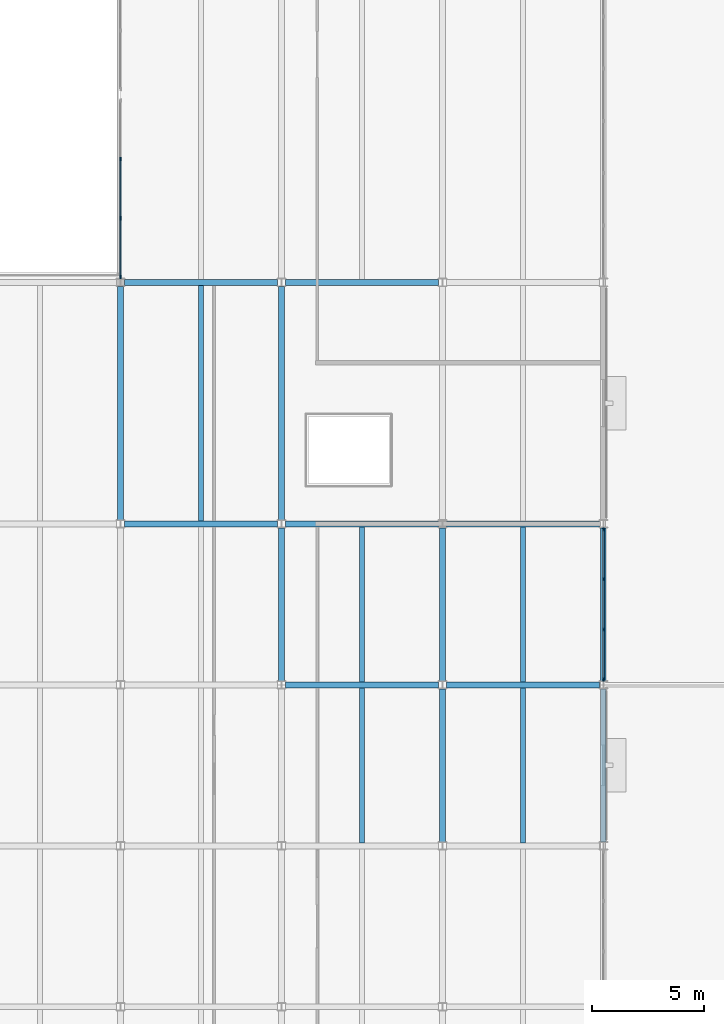
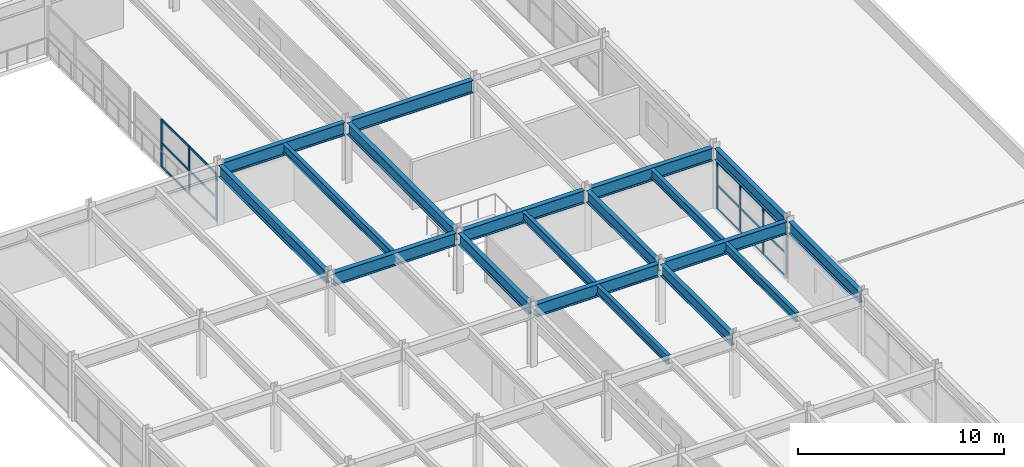
# One storey, part 27 of 80: 22 members, 19 beams, 2 elements without a shape of their own.
"""IFC4 building model written with IfcOpenShell, lengths in metres."""

from ifc_helpers import new_model, si_unit, direction, frame, origin, origin_2d, place, context, subcontext, project, spatial, rectangle, i_section, extrude, material, material_profile, profile_set, type_object, element, aggregate, save


model = new_model("IFC4")

# Units and contexts
model_context = context("Model", 3, precision=1e-05, world=origin(), true_north=direction((0.0, 1.0)))
body_context = subcontext(model_context, "Body", "Model", "MODEL_VIEW")
ifc_project = project(units=[si_unit("LENGTHUNIT", "METRE"), si_unit("AREAUNIT", "SQUARE_METRE"), si_unit("VOLUMEUNIT", "CUBIC_METRE"), si_unit("PLANEANGLEUNIT", "RADIAN"), si_unit("MASSUNIT", "GRAM", prefix="KILO")], contexts=[model_context])

# Site, building, storey
site_placement = place(None, origin())
site = spatial("IfcSite", under=ifc_project, at=site_placement, CompositionType="ELEMENT")
building_placement = place(site_placement, origin())
building = spatial("IfcBuilding", under=site, at=building_placement, Name="Vaelcorin Mobility Hub", CompositionType="ELEMENT")
storey_placement = place(building_placement, frame((0.0, 0.0, 9.300048828125)))
storey = spatial("IfcBuildingStorey", under=building, at=storey_placement, Name="L02", CompositionType="ELEMENT", Elevation=9.300048828125)

# Beams
ifc_material_1 = material(Name="Steel ASTM A992 Grade 50", Category="steel")
ifc_material_profile_1 = material_profile(ifc_material_1, i_section(OverallWidth=0.2099609375, OverallDepth=0.532958984375, WebThickness=0.01025390625, FlangeThickness=0.015625, FilletRadius=0.013916015625, at=origin_2d()), Name="W21X62")
ifc_profile_set_1 = profile_set([ifc_material_profile_1], Name="Steel ASTM A992 Grade 50")
beam_type_1 = type_object("IfcBeamType", Name="BM-W21X62", PredefinedType="JOIST", material=ifc_profile_set_1)
beam_1_placement = place(storey_placement, frame((171.60009765625, 49.33203125, 3.333984375), z_axis=(0.0, 1.0, 0.0), x_axis=(-1.0, 0.0, 0.0)))
element("IfcBeam", 1, at=beam_1_placement, inside=storey, type_object=beam_type_1, Name="L02 Beam V5-L02-J-03-07-1", PredefinedType="JOIST", context=body_context, shape_type="SweptSolid", body=[
    extrude(i_section(OverallWidth=0.2099609375, OverallDepth=0.532958984375, WebThickness=0.01025390625, FlangeThickness=0.015625, FilletRadius=0.013916015625, at=origin_2d()), origin(), (0.0, 0.0, 1.0), 10.535888671875),
])
for number, where, z_axis, x_axis, name in (
    (2, (178.800048828125, 34.931884765625, 3.333984375), (0.0, 1.0, 0.0), (-1.0, 0.0, 0.0), "L02 Beam V5-L02-J-04-05-1"),
    (3, (178.800048828125, 42.132080078125, 3.333984375), (0.0, 1.0, 0.0), (-1.0, 0.0, 0.0), "L02 Beam V5-L02-J-04-06-1"),
    (4, (186.0, 34.931884765625, 3.333984375), (0.0, 1.0, 0.0), (-1.0, 0.0, 0.0), "L02 Beam V5-L02-J-05-05-1"),
    (5, (186.0, 42.132080078125, 3.333984375), (0.0, 1.0, 0.0), (-1.0, 0.0, 0.0), "L02 Beam V5-L02-J-05-06-1"),
):
    element("IfcBeam", number, at=place(storey_placement, frame(where, z_axis=z_axis, x_axis=x_axis)), inside=storey, type_object=beam_type_1, Name=name, PredefinedType="JOIST", context=body_context, shape_type="SweptSolid", body=[
        extrude(i_section(OverallWidth=0.2099609375, OverallDepth=0.532958984375, WebThickness=0.01025390625, FlangeThickness=0.015625, FilletRadius=0.013916015625, at=origin_2d()), origin(), (0.0, 0.0, 1.0), 6.93603515625),
    ])
ifc_material_profile_2 = material_profile(ifc_material_1, i_section(OverallWidth=0.25390625, OverallDepth=0.68310546875, WebThickness=0.012451171875, FlangeThickness=0.018798828125, FilletRadius=0.01611328125, at=origin_2d()), Name="W27X94")
ifc_profile_set_2 = profile_set([ifc_material_profile_2], Name="Steel ASTM A992 Grade 50")
beam_type_2 = type_object("IfcBeamType", Name="BM-W27X94", PredefinedType="BEAM", material=ifc_profile_set_2)
beam_2_placement = place(storey_placement, frame((168.0, 49.3759765625, 3.258056640625), z_axis=(0.0, 1.0, 0.0), x_axis=(-1.0, 0.0, 0.0)))
element("IfcBeam", 6, at=beam_2_placement, inside=storey, type_object=beam_type_2, Name="L02 Beam V5-L02-GY-03-07", PredefinedType="BEAM", context=body_context, shape_type="SweptSolid", body=[
    extrude(i_section(OverallWidth=0.25390625, OverallDepth=0.68310546875, WebThickness=0.012451171875, FlangeThickness=0.018798828125, FilletRadius=0.01611328125, at=origin_2d()), origin(), (0.0, 0.0, 1.0), 10.447998046875),
])
beam_3_placement = place(storey_placement, frame((175.199951171875, 42.176025390625, 3.258056640625), z_axis=(0.0, 1.0, 0.0), x_axis=(-1.0, 0.0, 0.0)))
element("IfcBeam", 7, at=beam_3_placement, inside=storey, type_object=beam_type_2, Name="L02 Beam V5-L02-GY-04-06", PredefinedType="BEAM", context=body_context, shape_type="SweptSolid", body=[
    extrude(i_section(OverallWidth=0.25390625, OverallDepth=0.68310546875, WebThickness=0.012451171875, FlangeThickness=0.018798828125, FilletRadius=0.01611328125, at=origin_2d()), origin(), (0.0, 0.0, 1.0), 6.847900390625),
])
beam_4_placement = place(storey_placement, frame((175.199951171875, 49.3759765625, 3.258056640625), z_axis=(0.0, 1.0, 0.0), x_axis=(-1.0, 0.0, 0.0)))
element("IfcBeam", 8, at=beam_4_placement, inside=storey, type_object=beam_type_2, Name="L02 Beam V5-L02-GY-04-07", PredefinedType="BEAM", context=body_context, shape_type="SweptSolid", body=[
    extrude(i_section(OverallWidth=0.25390625, OverallDepth=0.68310546875, WebThickness=0.012451171875, FlangeThickness=0.018798828125, FilletRadius=0.01611328125, at=origin_2d()), origin(), (0.0, 0.0, 1.0), 10.447998046875),
])
for number, where, z_axis, x_axis, name in (
    (9, (182.39990234375, 34.97607421875, 3.258056640625), (0.0, 1.0, 0.0), (-1.0, 0.0, 0.0), "L02 Beam V5-L02-GY-05-05"),
    (10, (182.39990234375, 42.176025390625, 3.258056640625), (0.0, 1.0, 0.0), (-1.0, 0.0, 0.0), "L02 Beam V5-L02-GY-05-06"),
    (11, (189.60009765625, 34.97607421875, 3.258056640625), (0.0, 1.0, 0.0), (-1.0, 0.0, 0.0), "L02 Beam V5-L02-GY-06-05"),
    (12, (189.60009765625, 42.176025390625, 3.258056640625), (0.0, 1.0, 0.0), (-1.0, 0.0, 0.0), "L02 Beam V5-L02-GY-06-06"),
):
    element("IfcBeam", number, at=place(storey_placement, frame(where, z_axis=z_axis, x_axis=x_axis)), inside=storey, type_object=beam_type_2, Name=name, PredefinedType="BEAM", context=body_context, shape_type="SweptSolid", body=[
        extrude(i_section(OverallWidth=0.25390625, OverallDepth=0.68310546875, WebThickness=0.012451171875, FlangeThickness=0.018798828125, FilletRadius=0.01611328125, at=origin_2d()), origin(), (0.0, 0.0, 1.0), 6.847900390625),
    ])
ifc_material_profile_3 = material_profile(ifc_material_1, i_section(OverallWidth=0.26708984375, OverallDepth=0.757080078125, WebThickness=0.013916015625, FlangeThickness=0.019287109375, FilletRadius=0.01708984375, at=origin_2d()), Name="W30X108")
ifc_profile_set_3 = profile_set([ifc_material_profile_3], Name="Steel ASTM A992 Grade 50")
beam_type_3 = type_object("IfcBeamType", Name="BM-W30X108", PredefinedType="BEAM", material=ifc_profile_set_3)
for number, where, z_axis, x_axis, name in (
    (13, (175.382080078125, 42.0, 3.221923828125), (1.0, 0.0, 0.0), (0.0, 1.0, 0.0), "L02 Beam V5-L02-GX-06-04"),
    (14, (182.58203125, 42.0, 3.221923828125), (1.0, 0.0, 0.0), (0.0, 1.0, 0.0), "L02 Beam V5-L02-GX-06-05"),
):
    element("IfcBeam", number, at=place(storey_placement, frame(where, z_axis=z_axis, x_axis=x_axis)), inside=storey, type_object=beam_type_3, Name=name, PredefinedType="BEAM", context=body_context, shape_type="SweptSolid", body=[
        extrude(i_section(OverallWidth=0.26708984375, OverallDepth=0.757080078125, WebThickness=0.013916015625, FlangeThickness=0.019287109375, FilletRadius=0.01708984375, at=origin_2d()), origin(), (0.0, 0.0, 1.0), 6.8359375),
    ])
beam_5_placement = place(storey_placement, frame((168.181884765625, 49.199951171875, 3.221923828125), z_axis=(1.0, 0.0, 0.0), x_axis=(0.0, 1.0, 0.0)))
element("IfcBeam", 15, at=beam_5_placement, inside=storey, type_object=beam_type_3, Name="L02 Beam V5-L02-GX-07-03", PredefinedType="BEAM", context=body_context, shape_type="SweptSolid", body=[
    extrude(i_section(OverallWidth=0.26708984375, OverallDepth=0.757080078125, WebThickness=0.013916015625, FlangeThickness=0.019287109375, FilletRadius=0.01708984375, at=origin_2d()), origin(), (0.0, 0.0, 1.0), 6.836181640625),
])
for number, where, z_axis, x_axis, name in (
    (16, (175.382080078125, 49.199951171875, 3.221923828125), (1.0, 0.0, 0.0), (0.0, 1.0, 0.0), "L02 Beam V5-L02-GX-07-04"),
    (17, (182.58203125, 49.199951171875, 3.221923828125), (1.0, 0.0, 0.0), (0.0, 1.0, 0.0), "L02 Beam V5-L02-GX-07-05"),
):
    element("IfcBeam", number, at=place(storey_placement, frame(where, z_axis=z_axis, x_axis=x_axis)), inside=storey, type_object=beam_type_3, Name=name, PredefinedType="BEAM", context=body_context, shape_type="SweptSolid", body=[
        extrude(i_section(OverallWidth=0.26708984375, OverallDepth=0.757080078125, WebThickness=0.013916015625, FlangeThickness=0.019287109375, FilletRadius=0.01708984375, at=origin_2d()), origin(), (0.0, 0.0, 1.0), 6.8359375),
    ])
beam_6_placement = place(storey_placement, frame((168.181884765625, 60.0, 3.221923828125), z_axis=(1.0, 0.0, 0.0), x_axis=(0.0, 1.0, 0.0)))
element("IfcBeam", 18, at=beam_6_placement, inside=storey, type_object=beam_type_3, Name="L02 Beam V5-L02-GX-08-03", PredefinedType="BEAM", context=body_context, shape_type="SweptSolid", body=[
    extrude(i_section(OverallWidth=0.26708984375, OverallDepth=0.757080078125, WebThickness=0.013916015625, FlangeThickness=0.019287109375, FilletRadius=0.01708984375, at=origin_2d()), origin(), (0.0, 0.0, 1.0), 6.836181640625),
])
beam_7_placement = place(storey_placement, frame((175.382080078125, 60.0, 3.221923828125), z_axis=(1.0, 0.0, 0.0), x_axis=(0.0, 1.0, 0.0)))
element("IfcBeam", 19, at=beam_7_placement, inside=storey, type_object=beam_type_3, Name="L02 Beam V5-L02-GX-08-04", PredefinedType="BEAM", context=body_context, shape_type="SweptSolid", body=[
    extrude(i_section(OverallWidth=0.26708984375, OverallDepth=0.757080078125, WebThickness=0.013916015625, FlangeThickness=0.019287109375, FilletRadius=0.01708984375, at=origin_2d()), origin(), (0.0, 0.0, 1.0), 6.8359375),
])

# Curtain wall, members
ifc_material_2 = material(Name="Anodised aluminium 6063-T6", Category="aluminium")
curtain_wall_type = type_object("IfcCurtainWallType", Name="CW-MOB-A", PredefinedType="NOTDEFINED", material=ifc_material_2)
curtain_wall_1_placement = place(storey_placement, origin())
curtain_wall_1 = element("IfcCurtainWall", 20, at=curtain_wall_1_placement, inside=storey, type_object=curtain_wall_type, Name="L02 Curtain Wall CW-V5-L02-E-06", PredefinedType="NOTDEFINED")
ifc_material_profile_4 = material_profile(ifc_material_2, rectangle(XDim=0.06005859375, YDim=0.159912109375, at=origin_2d()), Name="ALU-M60X160")
ifc_profile_set_4 = profile_set([ifc_material_profile_4], Name="Anodised aluminium 6063-T6")
member_type_1 = type_object("IfcMemberType", Name="CW-MULL-160", PredefinedType="MULLION", material=ifc_profile_set_4)
member_1_placement = place(storey_placement, frame((189.60009765625, 48.949951171875, 0.0), z_axis=(0.0, 0.0, 1.0), x_axis=(1.0, 0.0, 0.0)))
member_1 = element("IfcMember", 21, at=member_1_placement, type_object=member_type_1, Name="CW7 mullion 1", PredefinedType="MULLION", context=body_context, shape_type="SweptSolid", body=[
    extrude(rectangle(XDim=0.06005859375, YDim=0.159912109375, at=origin_2d()), origin(), (0.0, 0.0, 1.0), 2.827880859375),
])
member_2_placement = place(storey_placement, frame((189.60009765625, 46.7265625, 0.0), z_axis=(0.0, 0.0, 1.0), x_axis=(1.0, 0.0, 0.0)))
member_2 = element("IfcMember", 22, at=member_2_placement, type_object=member_type_1, Name="CW7 mullion 2", PredefinedType="MULLION", context=body_context, shape_type="SweptSolid", body=[
    extrude(rectangle(XDim=0.06005859375, YDim=0.159912109375, at=origin_2d()), origin(), (0.0, 0.0, 1.0), 2.827880859375),
])
member_3_placement = place(storey_placement, frame((189.60009765625, 44.473388671875, 0.0), z_axis=(0.0, 0.0, 1.0), x_axis=(1.0, 0.0, 0.0)))
member_3 = element("IfcMember", 23, at=member_3_placement, type_object=member_type_1, Name="CW7 mullion 3", PredefinedType="MULLION", context=body_context, shape_type="SweptSolid", body=[
    extrude(rectangle(XDim=0.06005859375, YDim=0.159912109375, at=origin_2d()), origin(), (0.0, 0.0, 1.0), 2.827880859375),
])
member_4_placement = place(storey_placement, frame((189.60009765625, 42.25, 0.0), z_axis=(0.0, 0.0, 1.0), x_axis=(1.0, 0.0, 0.0)))
member_4 = element("IfcMember", 24, at=member_4_placement, type_object=member_type_1, Name="CW7 mullion 4", PredefinedType="MULLION", context=body_context, shape_type="SweptSolid", body=[
    extrude(rectangle(XDim=0.06005859375, YDim=0.159912109375, at=origin_2d()), origin(), (0.0, 0.0, 1.0), 2.827880859375),
])

curtain_wall_2_placement = place(storey_placement, origin())
curtain_wall_2 = element("IfcCurtainWall", 25, at=curtain_wall_2_placement, inside=storey, type_object=curtain_wall_type, Name="L02 Curtain Wall CW-V5-L02-NOTCH-1", PredefinedType="NOTDEFINED")
member_5_placement = place(storey_placement, frame((168.0, 60.25, 0.0), z_axis=(0.0, 0.0, 1.0), x_axis=(-1.0, 0.0, 0.0)))
member_5 = element("IfcMember", 26, at=member_5_placement, type_object=member_type_1, Name="CW7 mullion 1", PredefinedType="MULLION", context=body_context, shape_type="SweptSolid", body=[
    extrude(rectangle(XDim=0.06005859375, YDim=0.159912109375, at=origin_2d()), origin(), (0.0, 0.0, 1.0), 2.827880859375),
])
member_6_placement = place(storey_placement, frame((168.0, 62.873291015625, 0.0), z_axis=(0.0, 0.0, 1.0), x_axis=(-1.0, 0.0, 0.0)))
member_6 = element("IfcMember", 27, at=member_6_placement, type_object=member_type_1, Name="CW7 mullion 2", PredefinedType="MULLION", context=body_context, shape_type="SweptSolid", body=[
    extrude(rectangle(XDim=0.06005859375, YDim=0.159912109375, at=origin_2d()), origin(), (0.0, 0.0, 1.0), 2.827880859375),
])
member_7_placement = place(storey_placement, frame((168.0, 65.526611328125, 0.0), z_axis=(0.0, 0.0, 1.0), x_axis=(-1.0, 0.0, 0.0)))
member_7 = element("IfcMember", 28, at=member_7_placement, type_object=member_type_1, Name="CW7 mullion 3", PredefinedType="MULLION", context=body_context, shape_type="SweptSolid", body=[
    extrude(rectangle(XDim=0.06005859375, YDim=0.159912109375, at=origin_2d()), origin(), (0.0, 0.0, 1.0), 2.827880859375),
])

# Member
ifc_material_profile_5 = material_profile(ifc_material_2, rectangle(XDim=0.06005859375, YDim=0.1201171875, at=origin_2d()), Name="ALU-T60X120")
ifc_profile_set_5 = profile_set([ifc_material_profile_5], Name="Anodised aluminium 6063-T6")
member_type_2 = type_object("IfcMemberType", Name="CW-TRAN-140", PredefinedType="USERDEFINED", material=ifc_profile_set_5)
member_8_placement = place(storey_placement, frame((189.60009765625, 48.919921875, 0.030029296875), z_axis=(0.0, -1.0, 0.0), x_axis=(1.0, 0.0, 0.0)))
member_8 = element("IfcMember", 29, at=member_8_placement, type_object=member_type_2, Name="CW7 transom 1.1", ObjectType="TRANSOM", PredefinedType="USERDEFINED", context=body_context, shape_type="SweptSolid", body=[
    extrude(rectangle(XDim=0.06005859375, YDim=0.1201171875, at=origin_2d()), origin(), (0.0, 0.0, 1.0), 2.163330078125),
])

member_9_placement = place(storey_placement, frame((189.60009765625, 48.919921875, 1.4140625), z_axis=(0.0, -1.0, 0.0), x_axis=(1.0, 0.0, 0.0)))
member_9 = element("IfcMember", 30, at=member_9_placement, type_object=member_type_2, Name="CW7 transom 1.2", ObjectType="TRANSOM", PredefinedType="USERDEFINED", context=body_context, shape_type="SweptSolid", body=[
    extrude(rectangle(XDim=0.06005859375, YDim=0.1201171875, at=origin_2d()), origin(), (0.0, 0.0, 1.0), 2.163330078125),
])

member_10_placement = place(storey_placement, frame((189.60009765625, 48.919921875, 2.7978515625), z_axis=(0.0, -1.0, 0.0), x_axis=(1.0, 0.0, 0.0)))
member_10 = element("IfcMember", 31, at=member_10_placement, type_object=member_type_2, Name="CW7 transom 1.3", ObjectType="TRANSOM", PredefinedType="USERDEFINED", context=body_context, shape_type="SweptSolid", body=[
    extrude(rectangle(XDim=0.06005859375, YDim=0.1201171875, at=origin_2d()), origin(), (0.0, 0.0, 1.0), 2.163330078125),
])

member_11_placement = place(storey_placement, frame((189.60009765625, 46.69677734375, 0.030029296875), z_axis=(0.0, -1.0, 0.0), x_axis=(1.0, 0.0, 0.0)))
member_11 = element("IfcMember", 32, at=member_11_placement, type_object=member_type_2, Name="CW7 transom 2.1", ObjectType="TRANSOM", PredefinedType="USERDEFINED", context=body_context, shape_type="SweptSolid", body=[
    extrude(rectangle(XDim=0.06005859375, YDim=0.1201171875, at=origin_2d()), origin(), (0.0, 0.0, 1.0), 2.193359375),
])

member_12_placement = place(storey_placement, frame((189.60009765625, 46.69677734375, 1.4140625), z_axis=(0.0, -1.0, 0.0), x_axis=(1.0, 0.0, 0.0)))
member_12 = element("IfcMember", 33, at=member_12_placement, type_object=member_type_2, Name="CW7 transom 2.2", ObjectType="TRANSOM", PredefinedType="USERDEFINED", context=body_context, shape_type="SweptSolid", body=[
    extrude(rectangle(XDim=0.06005859375, YDim=0.1201171875, at=origin_2d()), origin(), (0.0, 0.0, 1.0), 2.193359375),
])

member_13_placement = place(storey_placement, frame((189.60009765625, 46.69677734375, 2.7978515625), z_axis=(0.0, -1.0, 0.0), x_axis=(1.0, 0.0, 0.0)))
member_13 = element("IfcMember", 34, at=member_13_placement, type_object=member_type_2, Name="CW7 transom 2.3", ObjectType="TRANSOM", PredefinedType="USERDEFINED", context=body_context, shape_type="SweptSolid", body=[
    extrude(rectangle(XDim=0.06005859375, YDim=0.1201171875, at=origin_2d()), origin(), (0.0, 0.0, 1.0), 2.193359375),
])

member_14_placement = place(storey_placement, frame((189.60009765625, 44.443359375, 0.030029296875), z_axis=(0.0, -1.0, 0.0), x_axis=(1.0, 0.0, 0.0)))
member_14 = element("IfcMember", 35, at=member_14_placement, type_object=member_type_2, Name="CW7 transom 3.1", ObjectType="TRANSOM", PredefinedType="USERDEFINED", context=body_context, shape_type="SweptSolid", body=[
    extrude(rectangle(XDim=0.06005859375, YDim=0.1201171875, at=origin_2d()), origin(), (0.0, 0.0, 1.0), 2.163330078125),
])

member_15_placement = place(storey_placement, frame((189.60009765625, 44.443359375, 1.4140625), z_axis=(0.0, -1.0, 0.0), x_axis=(1.0, 0.0, 0.0)))
member_15 = element("IfcMember", 36, at=member_15_placement, type_object=member_type_2, Name="CW7 transom 3.2", ObjectType="TRANSOM", PredefinedType="USERDEFINED", context=body_context, shape_type="SweptSolid", body=[
    extrude(rectangle(XDim=0.06005859375, YDim=0.1201171875, at=origin_2d()), origin(), (0.0, 0.0, 1.0), 2.163330078125),
])

member_16_placement = place(storey_placement, frame((189.60009765625, 44.443359375, 2.7978515625), z_axis=(0.0, -1.0, 0.0), x_axis=(1.0, 0.0, 0.0)))
member_16 = element("IfcMember", 37, at=member_16_placement, type_object=member_type_2, Name="CW7 transom 3.3", ObjectType="TRANSOM", PredefinedType="USERDEFINED", context=body_context, shape_type="SweptSolid", body=[
    extrude(rectangle(XDim=0.06005859375, YDim=0.1201171875, at=origin_2d()), origin(), (0.0, 0.0, 1.0), 2.163330078125),
])

aggregate(curtain_wall_1, [member_1, member_2, member_3, member_4, member_8, member_9, member_10, member_11, member_12, member_13, member_14, member_15, member_16])

member_17_placement = place(storey_placement, frame((168.0, 60.280029296875, 0.030029296875), z_axis=(0.0, 1.0, 0.0), x_axis=(-1.0, 0.0, 0.0)))
member_17 = element("IfcMember", 38, at=member_17_placement, type_object=member_type_2, Name="CW7 transom 1.1", ObjectType="TRANSOM", PredefinedType="USERDEFINED", context=body_context, shape_type="SweptSolid", body=[
    extrude(rectangle(XDim=0.06005859375, YDim=0.1201171875, at=origin_2d()), origin(), (0.0, 0.0, 1.0), 2.563232421875),
])

member_18_placement = place(storey_placement, frame((168.0, 60.280029296875, 1.4140625), z_axis=(0.0, 1.0, 0.0), x_axis=(-1.0, 0.0, 0.0)))
member_18 = element("IfcMember", 39, at=member_18_placement, type_object=member_type_2, Name="CW7 transom 1.2", ObjectType="TRANSOM", PredefinedType="USERDEFINED", context=body_context, shape_type="SweptSolid", body=[
    extrude(rectangle(XDim=0.06005859375, YDim=0.1201171875, at=origin_2d()), origin(), (0.0, 0.0, 1.0), 2.563232421875),
])

member_19_placement = place(storey_placement, frame((168.0, 60.280029296875, 2.7978515625), z_axis=(0.0, 1.0, 0.0), x_axis=(-1.0, 0.0, 0.0)))
member_19 = element("IfcMember", 40, at=member_19_placement, type_object=member_type_2, Name="CW7 transom 1.3", ObjectType="TRANSOM", PredefinedType="USERDEFINED", context=body_context, shape_type="SweptSolid", body=[
    extrude(rectangle(XDim=0.06005859375, YDim=0.1201171875, at=origin_2d()), origin(), (0.0, 0.0, 1.0), 2.563232421875),
])

member_20_placement = place(storey_placement, frame((168.0, 62.9033203125, 0.030029296875), z_axis=(0.0, 1.0, 0.0), x_axis=(-1.0, 0.0, 0.0)))
member_20 = element("IfcMember", 41, at=member_20_placement, type_object=member_type_2, Name="CW7 transom 2.1", ObjectType="TRANSOM", PredefinedType="USERDEFINED", context=body_context, shape_type="SweptSolid", body=[
    extrude(rectangle(XDim=0.06005859375, YDim=0.1201171875, at=origin_2d()), origin(), (0.0, 0.0, 1.0), 2.59326171875),
])

member_21_placement = place(storey_placement, frame((168.0, 62.9033203125, 1.4140625), z_axis=(0.0, 1.0, 0.0), x_axis=(-1.0, 0.0, 0.0)))
member_21 = element("IfcMember", 42, at=member_21_placement, type_object=member_type_2, Name="CW7 transom 2.2", ObjectType="TRANSOM", PredefinedType="USERDEFINED", context=body_context, shape_type="SweptSolid", body=[
    extrude(rectangle(XDim=0.06005859375, YDim=0.1201171875, at=origin_2d()), origin(), (0.0, 0.0, 1.0), 2.59326171875),
])

member_22_placement = place(storey_placement, frame((168.0, 62.9033203125, 2.7978515625), z_axis=(0.0, 1.0, 0.0), x_axis=(-1.0, 0.0, 0.0)))
member_22 = element("IfcMember", 43, at=member_22_placement, type_object=member_type_2, Name="CW7 transom 2.3", ObjectType="TRANSOM", PredefinedType="USERDEFINED", context=body_context, shape_type="SweptSolid", body=[
    extrude(rectangle(XDim=0.06005859375, YDim=0.1201171875, at=origin_2d()), origin(), (0.0, 0.0, 1.0), 2.59326171875),
])

aggregate(curtain_wall_2, [member_5, member_6, member_7, member_17, member_18, member_19, member_20, member_21, member_22])

save(model, "model.ifc")
